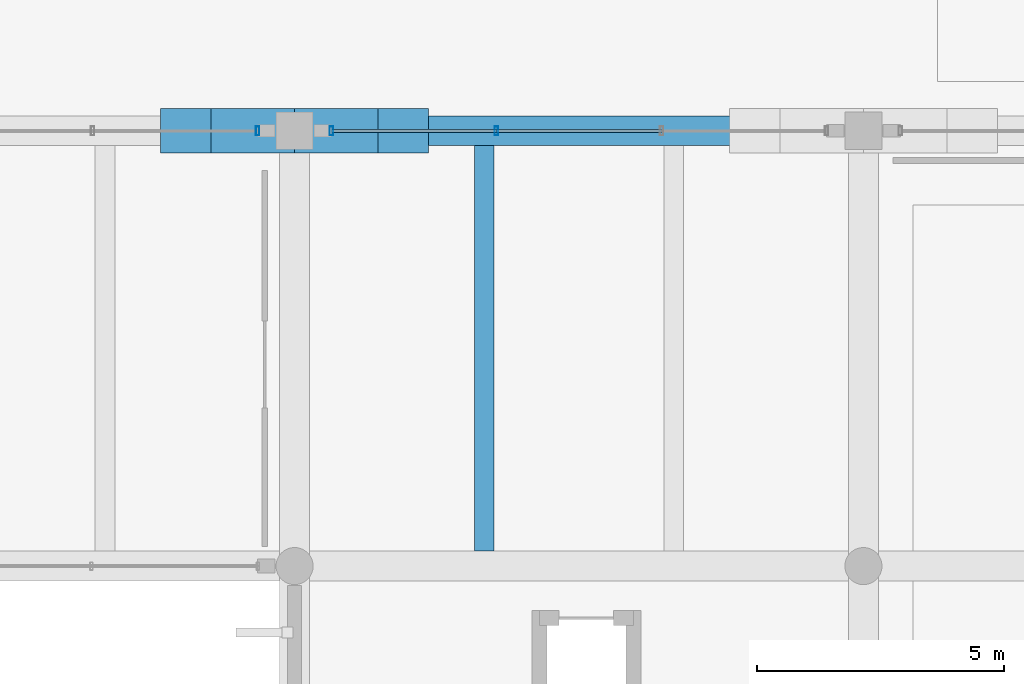
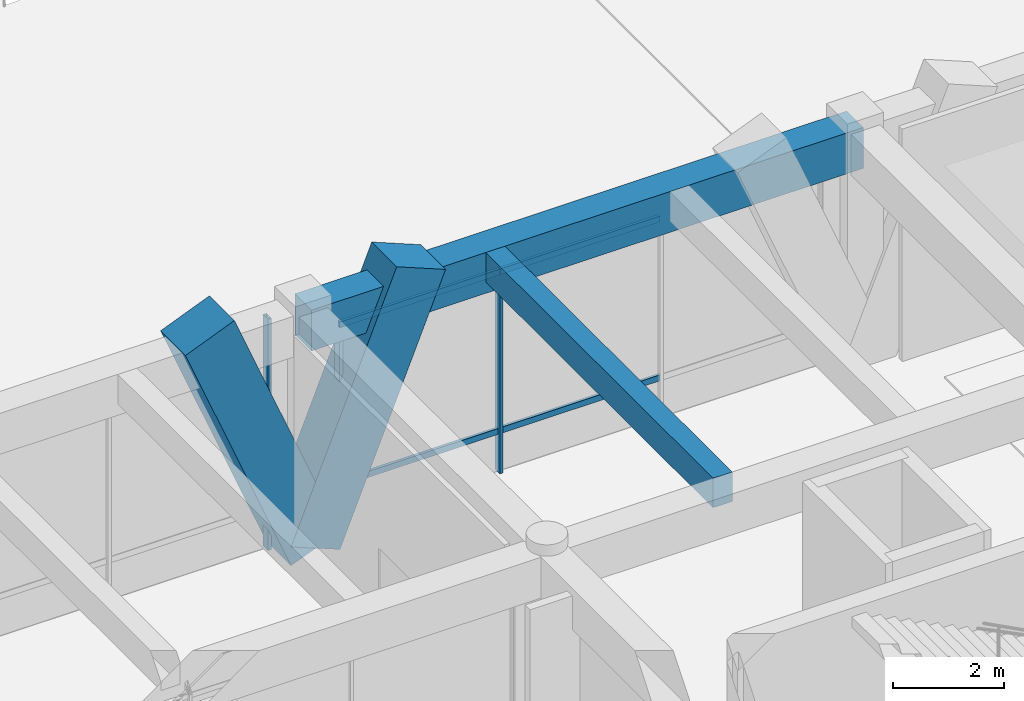
# One storey, part 22 of 148: 9 members, 2 beams, 2 elements without a shape of their own.
"""IFC4 building model written with IfcOpenShell, lengths in metres."""

from ifc_helpers import new_model, si_unit, direction, frame, origin, origin_2d, place, context, subcontext, project, spatial, rectangle, hollow_rectangle, extrude, material, material_profile, profile_set, type_object, element, aggregate, save


model = new_model("IFC4")

# Units and contexts
model_context = context("Model", 3, precision=1e-05, world=origin(), true_north=direction((0.0, 1.0)))
body_context = subcontext(model_context, "Body", "Model", "MODEL_VIEW")
ifc_project = project(units=[si_unit("LENGTHUNIT", "METRE"), si_unit("AREAUNIT", "SQUARE_METRE"), si_unit("VOLUMEUNIT", "CUBIC_METRE"), si_unit("PLANEANGLEUNIT", "RADIAN"), si_unit("MASSUNIT", "GRAM", prefix="KILO")], contexts=[model_context])

# Site, building, storey
site_placement = place(None, origin())
site = spatial("IfcSite", under=ifc_project, at=site_placement, CompositionType="ELEMENT")
building_placement = place(site_placement, origin())
building = spatial("IfcBuilding", under=site, at=building_placement, Name="Ologun Quay Terminus", CompositionType="ELEMENT")
storey_placement = place(building_placement, frame((0.0, 0.0, 8.39990234375)))
storey = spatial("IfcBuildingStorey", under=building, at=storey_placement, Name="L02", CompositionType="ELEMENT", Elevation=8.39990234375)

# Curtain wall, member
ifc_material_1 = material(Name="Aluminium 6063-T6", Category="aluminium")
curtain_wall_type = type_object("IfcCurtainWallType", Name="Train Shed South Clerestory Curtain Wall 10700x5050", PredefinedType="USERDEFINED", material=ifc_material_1)
curtain_wall_1_placement = place(storey_placement, origin())
curtain_wall_1 = element("IfcCurtainWall", 1, at=curtain_wall_1_placement, inside=storey, type_object=curtain_wall_type, Name="CW-08 Curtain Wall CW-L02-052", ObjectType="UNITISED CURTAIN WALL", PredefinedType="USERDEFINED")
ifc_material_2 = material(Name="Aluminium 6063-T6", Category="aluminium")
ifc_material_profile_1 = material_profile(ifc_material_2, hollow_rectangle(XDim=0.070068359375, YDim=0.179931640625, WallThickness=0.0048828125, at=origin_2d()), Name="ALU 180x70x5")
ifc_profile_set_1 = profile_set([ifc_material_profile_1], Name="Aluminium 6063-T6")
member_type_1 = type_object("IfcMemberType", Name="Concourse Clerestory Mullion 180x70", PredefinedType="MULLION", material=ifc_profile_set_1)
member_1_placement = place(storey_placement, frame((56.7548828125, 36.0, 0.0), z_axis=(0.0, 0.0, 1.0), x_axis=(1.0, 0.0, 0.0)))
member_1 = element("IfcMember", 2, at=member_1_placement, type_object=member_type_1, Name="CW-L02-052 Mullion 4", PredefinedType="MULLION", context=body_context, shape_type="SweptSolid", body=[
    extrude(hollow_rectangle(XDim=0.070068359375, YDim=0.179931640625, WallThickness=0.0048828125, at=origin_2d()), origin(), (0.0, 0.0, 1.0), 5.10009765625),
])
aggregate(curtain_wall_1, [member_1])

# Curtain wall, members
curtain_wall_2_placement = place(storey_placement, origin())
curtain_wall_2 = element("IfcCurtainWall", 3, at=curtain_wall_2_placement, inside=storey, type_object=curtain_wall_type, Name="CW-08 Curtain Wall CW-L02-054", ObjectType="UNITISED CURTAIN WALL", PredefinedType="USERDEFINED")
member_2_placement = place(storey_placement, frame((58.2451171875, 36.0, 0.0), z_axis=(0.0, 0.0, 1.0), x_axis=(1.0, 0.0, 0.0)))
member_2 = element("IfcMember", 4, at=member_2_placement, type_object=member_type_1, Name="CW-L02-054 Mullion 1", PredefinedType="MULLION", context=body_context, shape_type="SweptSolid", body=[
    extrude(hollow_rectangle(XDim=0.070068359375, YDim=0.179931640625, WallThickness=0.0048828125, at=origin_2d()), origin(), (0.0, 0.0, 1.0), 5.10009765625),
])
member_3_placement = place(storey_placement, frame((61.581787109375, 36.0, 0.0), z_axis=(0.0, 0.0, 1.0), x_axis=(1.0, 0.0, 0.0)))
member_3 = element("IfcMember", 5, at=member_3_placement, type_object=member_type_1, Name="CW-L02-054 Mullion 2", PredefinedType="MULLION", context=body_context, shape_type="SweptSolid", body=[
    extrude(hollow_rectangle(XDim=0.070068359375, YDim=0.179931640625, WallThickness=0.0048828125, at=origin_2d()), origin(), (0.0, 0.0, 1.0), 5.10009765625),
])
ifc_material_3 = material(Name="Aluminium 6063-T6", Category="aluminium")
ifc_material_profile_2 = material_profile(ifc_material_3, hollow_rectangle(XDim=0.06005859375, YDim=0.1298828125, WallThickness=0.00390625, at=origin_2d()), Name="ALU 130x60x4")
ifc_profile_set_2 = profile_set([ifc_material_profile_2], Name="Aluminium 6063-T6")
member_type_2 = type_object("IfcMemberType", Name="Concourse Clerestory Transom 130x60", PredefinedType="USERDEFINED", material=ifc_profile_set_2)
member_4_placement = place(storey_placement, frame((58.2451171875, 36.0, 0.900146484375), z_axis=(1.0, 0.0, 0.0), x_axis=(0.0, 1.0, 0.0)))
member_4 = element("IfcMember", 6, at=member_4_placement, type_object=member_type_2, Name="CW-L02-054 Transom B1-1", ObjectType="TRANSOM", PredefinedType="USERDEFINED", context=body_context, shape_type="SweptSolid", body=[
    extrude(hollow_rectangle(XDim=0.06005859375, YDim=0.1298828125, WallThickness=0.00390625, at=origin_2d()), origin(), (0.0, 0.0, 1.0), 3.336669921875),
])
member_5_placement = place(storey_placement, frame((58.2451171875, 36.0, 4.400146484375), z_axis=(1.0, 0.0, 0.0), x_axis=(0.0, 1.0, 0.0)))
member_5 = element("IfcMember", 7, at=member_5_placement, type_object=member_type_2, Name="CW-L02-054 Transom B1-2", ObjectType="TRANSOM", PredefinedType="USERDEFINED", context=body_context, shape_type="SweptSolid", body=[
    extrude(hollow_rectangle(XDim=0.06005859375, YDim=0.1298828125, WallThickness=0.00390625, at=origin_2d()), origin(), (0.0, 0.0, 1.0), 3.336669921875),
])
member_6_placement = place(storey_placement, frame((61.581787109375, 36.0, 0.900146484375), z_axis=(1.0, 0.0, 0.0), x_axis=(0.0, 1.0, 0.0)))
member_6 = element("IfcMember", 8, at=member_6_placement, type_object=member_type_2, Name="CW-L02-054 Transom B2-1", ObjectType="TRANSOM", PredefinedType="USERDEFINED", context=body_context, shape_type="SweptSolid", body=[
    extrude(hollow_rectangle(XDim=0.06005859375, YDim=0.1298828125, WallThickness=0.00390625, at=origin_2d()), origin(), (0.0, 0.0, 1.0), 3.33642578125),
])
member_7_placement = place(storey_placement, frame((61.581787109375, 36.0, 4.400146484375), z_axis=(1.0, 0.0, 0.0), x_axis=(0.0, 1.0, 0.0)))
member_7 = element("IfcMember", 9, at=member_7_placement, type_object=member_type_2, Name="CW-L02-054 Transom B2-2", ObjectType="TRANSOM", PredefinedType="USERDEFINED", context=body_context, shape_type="SweptSolid", body=[
    extrude(hollow_rectangle(XDim=0.06005859375, YDim=0.1298828125, WallThickness=0.00390625, at=origin_2d()), origin(), (0.0, 0.0, 1.0), 3.33642578125),
])
aggregate(curtain_wall_2, [member_2, member_3, member_4, member_5, member_6, member_7])

# Members
ifc_material_4 = material(Name="Concrete C45/55", Category="concrete")
ifc_material_profile_3 = material_profile(ifc_material_4, rectangle(XDim=0.89990234375, YDim=1.10009765625, at=origin_2d()), Name="RC 900x1100")
ifc_profile_set_3 = profile_set([ifc_material_profile_3], Name="Concrete C45/55")
member_type_3 = type_object("IfcMemberType", Name="Sculpted Concrete Arch V-Buttress Strut 900x1100", PredefinedType="STRUT", material=ifc_profile_set_3)
for number, where, z_axis, x_axis, name in (
    (10, (57.5, 36.0, 0.0), (-0.377280927807, 0.0, 0.926098861631), (0.0, -1.0, 0.0), "VS1 Arch V-Buttress West Limb 6/E"),
    (11, (57.5, 36.0, 0.0), (0.377280927807, 0.0, 0.926098861631), (0.0, 1.0, 0.0), "VS1 Arch V-Buttress East Limb 6/E"),
):
    element("IfcMember", number, at=place(storey_placement, frame(where, z_axis=z_axis, x_axis=x_axis)), inside=storey, type_object=member_type_3, Name=name, PredefinedType="STRUT", context=body_context, shape_type="SweptSolid", body=[
        extrude(rectangle(XDim=0.89990234375, YDim=1.10009765625, at=origin_2d()), origin(), (0.0, 0.0, 1.0), 5.8310546875),
    ])

# Beams
ifc_material_5 = material(Name="Concrete C40/50", Category="concrete")
ifc_material_profile_4 = material_profile(ifc_material_5, rectangle(XDim=0.60009765625, YDim=0.89990234375, at=origin_2d()), Name="RC 600x900")
ifc_profile_set_4 = profile_set([ifc_material_profile_4], Name="Concrete C40/50")
beam_type_1 = type_object("IfcBeamType", Name="Station Frame Girder 600x900", PredefinedType="BEAM", material=ifc_profile_set_4)
beam_1_placement = place(storey_placement, frame((57.5, 36.0, 4.7001953125), z_axis=(1.0, 0.0, 0.0), x_axis=(0.0, 1.0, 0.0)))
element("IfcBeam", 12, at=beam_1_placement, inside=storey, type_object=beam_type_1, Name="B3 Beam 6/E L02", PredefinedType="BEAM", context=body_context, shape_type="SweptSolid", body=[
    extrude(rectangle(XDim=0.60009765625, YDim=0.89990234375, at=origin_2d()), origin(), (0.0, 0.0, 1.0), 11.5),
])
ifc_material_6 = material(Name="Concrete C40/50", Category="concrete")
ifc_material_profile_5 = material_profile(ifc_material_6, rectangle(XDim=0.39990234375, YDim=0.64990234375, at=origin_2d()), Name="RC 400x650")
ifc_profile_set_5 = profile_set([ifc_material_profile_5], Name="Concrete C40/50")
beam_type_2 = type_object("IfcBeamType", Name="Station Secondary Joist 400x650", PredefinedType="JOIST", material=ifc_profile_set_5)
beam_2_placement = place(storey_placement, frame((61.333251953125, 27.5, 4.8251953125), z_axis=(0.0, 1.0, 0.0), x_axis=(-1.0, 0.0, 0.0)))
element("IfcBeam", 13, at=beam_2_placement, inside=storey, type_object=beam_type_2, Name="J1 Beam 6/D L02", PredefinedType="JOIST", context=body_context, shape_type="SweptSolid", body=[
    extrude(rectangle(XDim=0.39990234375, YDim=0.64990234375, at=origin_2d()), origin(), (0.0, 0.0, 1.0), 8.199951171875),
])

save(model, "model.ifc")
